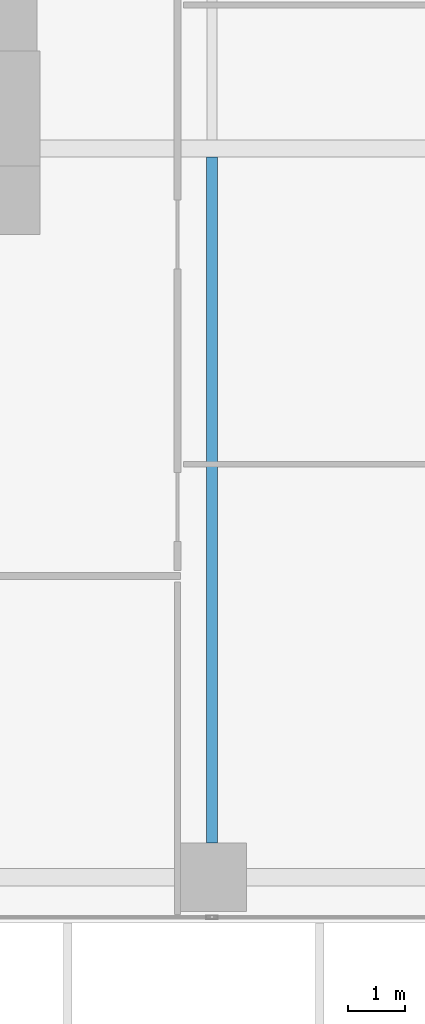
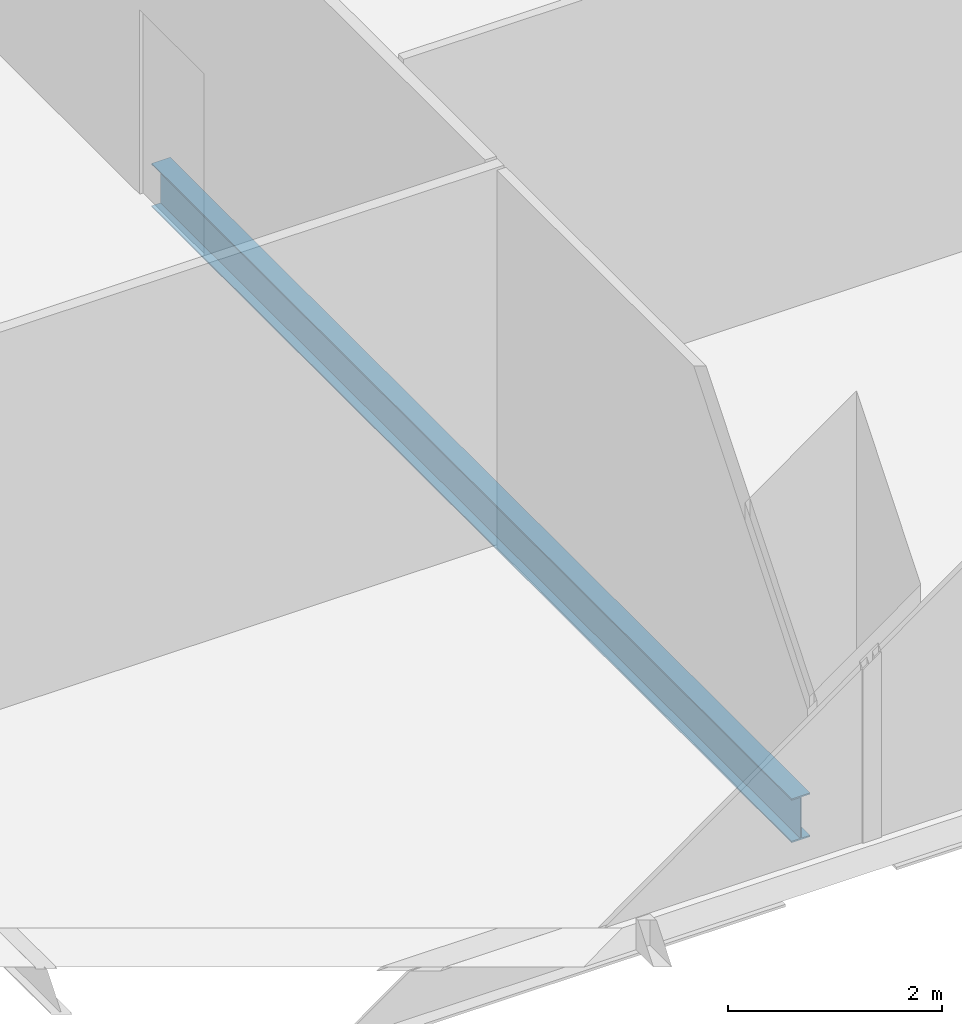
# One storey, part 4 of 35: 1 beam.
"""IFC4 building model written with IfcOpenShell, lengths in metres."""

from ifc_helpers import new_model, si_unit, direction, frame, origin, origin_2d, place, context, subcontext, project, spatial, i_section, extrude, source, transform, mapped, material, material_profile, profile_set, type_object, element, save


model = new_model("IFC4")

# Units and contexts
model_context = context("Model", 3, precision=1e-05, world=origin(), true_north=direction((0.0, 1.0)))
body_context = subcontext(model_context, "Body", "Model", "MODEL_VIEW")
ifc_project = project(units=[si_unit("LENGTHUNIT", "METRE"), si_unit("AREAUNIT", "SQUARE_METRE"), si_unit("VOLUMEUNIT", "CUBIC_METRE"), si_unit("PLANEANGLEUNIT", "RADIAN"), si_unit("MASSUNIT", "GRAM", prefix="KILO")], contexts=[model_context])

# Site, building, storey
site_placement = place(None, origin())
site = spatial("IfcSite", under=ifc_project, at=site_placement, CompositionType="ELEMENT")
building_placement = place(site_placement, origin())
building = spatial("IfcBuilding", under=site, at=building_placement, Name="Khomas Fold Tower", CompositionType="ELEMENT")
storey_placement = place(building_placement, frame((0.0, 0.0, 87.0)))
storey = spatial("IfcBuildingStorey", under=building, at=storey_placement, Name="L18", CompositionType="ELEMENT", Elevation=87.0)

# Beam
ifc_material = material(Name="Steel S355", Category="steel")
ifc_material_profile = material_profile(ifc_material, i_section(OverallWidth=0.199951171875, OverallDepth=0.5, WebThickness=0.01025390625, FlangeThickness=0.01611328125, at=origin_2d()), Name="IPE 500")
ifc_profile_set = profile_set([ifc_material_profile], Name="Steel S355")
beam_type = type_object("IfcBeamType", Name="IPE 500 beam JB5", PredefinedType="BEAM", material=ifc_profile_set)
shared_shape = source(origin(), body_context, "Body", "SweptSolid", [
    extrude(i_section(OverallWidth=0.199951171875, OverallDepth=0.5, WebThickness=0.01025390625, FlangeThickness=0.01611328125, at=origin_2d()), origin(), (0.0, 0.0, 1.0), 11.9501953125),
])
beam_placement = place(storey_placement, frame((27.0, 1.39990234375, -0.550048828125), z_axis=(0.0, 1.0, 0.0), x_axis=(-1.0, 0.0, 0.0)))
element("IfcBeam", 1, at=beam_placement, inside=storey, type_object=beam_type, Name="JB5", PredefinedType="BEAM", context=body_context, shape_type="MappedRepresentation", body=[
    mapped(shared_shape, transform((0.0, 0.0, 0.0))),
])

save(model, "model.ifc")
